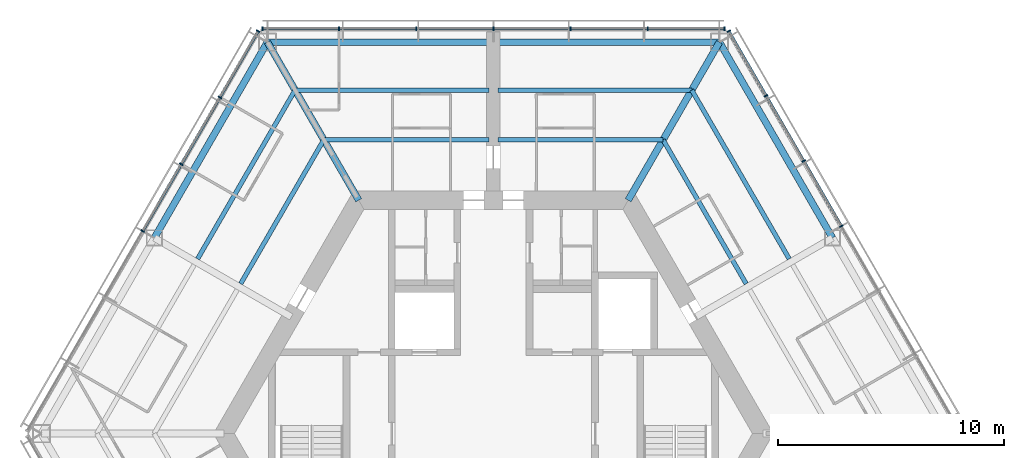
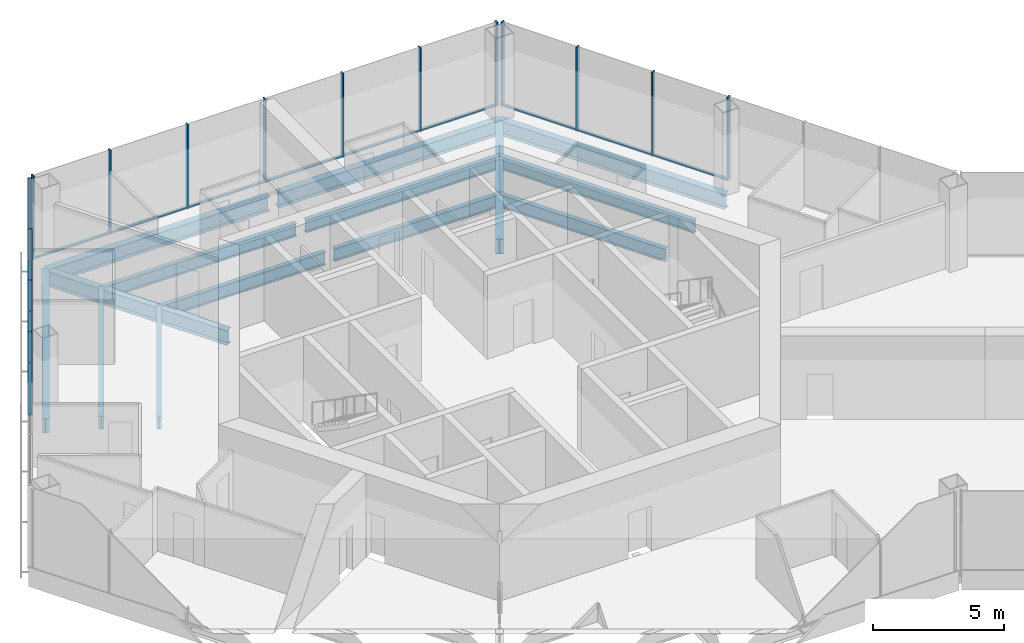
# One storey, part 5 of 13: 27 members, 14 beams, 3 elements without a shape of their own.
"""IFC4 building model written with IfcOpenShell, lengths in metres."""

from ifc_helpers import new_model, si_unit, direction, frame, origin, origin_2d, place, context, subcontext, project, spatial, rectangle, i_section, extrude, material, material_profile, profile_set, type_object, element, aggregate, save


model = new_model("IFC4")

# Units and contexts
model_context = context("Model", 3, precision=1e-05, world=origin(), true_north=direction((0.0, 1.0)))
body_context = subcontext(model_context, "Body", "Model", "MODEL_VIEW")
ifc_project = project(units=[si_unit("LENGTHUNIT", "METRE"), si_unit("AREAUNIT", "SQUARE_METRE"), si_unit("VOLUMEUNIT", "CUBIC_METRE"), si_unit("PLANEANGLEUNIT", "RADIAN"), si_unit("MASSUNIT", "GRAM", prefix="KILO")], contexts=[model_context])

# Site, building, storey
site_placement = place(None, origin())
site = spatial("IfcSite", under=ifc_project, at=site_placement, CompositionType="ELEMENT")
building_placement = place(site_placement, origin())
building = spatial("IfcBuilding", under=site, at=building_placement, Name="Kasaneha Research Tower", CompositionType="ELEMENT")
storey_placement = place(building_placement, frame((0.0, 0.0, 267.39990234375)))
storey = spatial("IfcBuildingStorey", under=building, at=storey_placement, Name="L67", CompositionType="ELEMENT", Elevation=267.39990234375)

# Beams
ifc_material_1 = material(Name="Steel SN490B", Category="steel")
ifc_material_profile_1 = material_profile(ifc_material_1, i_section(OverallWidth=0.199951171875, OverallDepth=0.60009765625, WebThickness=0.010986328125, FlangeThickness=0.01708984375, FilletRadius=0.012939453125, at=origin_2d()), Name="H-600x200x11x17")
ifc_profile_set_1 = profile_set([ifc_material_profile_1], Name="Steel SN490B")
beam_type_1 = type_object("IfcBeamType", Name="B1-3 secondary beam H-600x200x11x17", PredefinedType="JOIST", material=ifc_profile_set_1)
beam_1_placement = place(storey_placement, frame((7.505615234375, 13.0, -0.449951171875), z_axis=(0.499994443168, -0.866028611999, 0.0), x_axis=(0.866028611999, 0.499994443168, 0.0)))
element("IfcBeam", 1, at=beam_1_placement, inside=storey, type_object=beam_type_1, Name="Secondary beam RS030R1 L67", PredefinedType="JOIST", context=body_context, shape_type="SweptSolid", body=[
    extrude(i_section(OverallWidth=0.199951171875, OverallDepth=0.60009765625, WebThickness=0.010986328125, FlangeThickness=0.01708984375, FilletRadius=0.012939453125, at=origin_2d()), origin(), (0.0, 0.0, 1.0), 7.35546875),
])
beam_2_placement = place(storey_placement, frame((8.775634765625, 15.199951171875, -0.449951171875), z_axis=(0.500017275495, -0.866015429543, 0.0), x_axis=(0.866015429543, 0.500017275495, 0.0)))
element("IfcBeam", 2, at=beam_2_placement, inside=storey, type_object=beam_type_1, Name="Secondary beam RS030R2 L67", PredefinedType="JOIST", context=body_context, shape_type="SweptSolid", body=[
    extrude(i_section(OverallWidth=0.199951171875, OverallDepth=0.60009765625, WebThickness=0.010986328125, FlangeThickness=0.01708984375, FilletRadius=0.012939453125, at=origin_2d()), origin(), (0.0, 0.0, 1.0), 8.625732421875),
])
beam_3_placement = place(storey_placement, frame((7.505615234375, 13.0, -0.449951171875), z_axis=(-1.0, 0.0, 0.0), x_axis=(0.0, -1.0, 0.0)))
element("IfcBeam", 3, at=beam_3_placement, inside=storey, type_object=beam_type_1, Name="Secondary beam RS090L1 L67", PredefinedType="JOIST", context=body_context, shape_type="SweptSolid", body=[
    extrude(i_section(OverallWidth=0.199951171875, OverallDepth=0.60009765625, WebThickness=0.010986328125, FlangeThickness=0.01708984375, FilletRadius=0.012939453125, at=origin_2d()), origin(), (0.0, 0.0, 1.0), 7.3056640625),
])
beam_4_placement = place(storey_placement, frame((8.775634765625, 15.199951171875, -0.449951171875), z_axis=(-1.0, 0.0, 0.0), x_axis=(0.0, -1.0, 0.0)))
element("IfcBeam", 4, at=beam_4_placement, inside=storey, type_object=beam_type_1, Name="Secondary beam RS090L2 L67", PredefinedType="JOIST", context=body_context, shape_type="SweptSolid", body=[
    extrude(i_section(OverallWidth=0.199951171875, OverallDepth=0.60009765625, WebThickness=0.010986328125, FlangeThickness=0.01708984375, FilletRadius=0.012939453125, at=origin_2d()), origin(), (0.0, 0.0, 1.0), 8.57568359375),
])
beam_5_placement = place(storey_placement, frame((-7.505615234375, 13.0, -0.449951171875), z_axis=(1.0, 0.0, 0.0), x_axis=(0.0, 1.0, 0.0)))
element("IfcBeam", 5, at=beam_5_placement, inside=storey, type_object=beam_type_1, Name="Secondary beam RS090R1 L67", PredefinedType="JOIST", context=body_context, shape_type="SweptSolid", body=[
    extrude(i_section(OverallWidth=0.199951171875, OverallDepth=0.60009765625, WebThickness=0.010986328125, FlangeThickness=0.01708984375, FilletRadius=0.012939453125, at=origin_2d()), origin(), (0.0, 0.0, 1.0), 7.3056640625),
])
beam_6_placement = place(storey_placement, frame((-8.775634765625, 15.199951171875, -0.449951171875), z_axis=(1.0, 0.0, 0.0), x_axis=(0.0, 1.0, 0.0)))
element("IfcBeam", 6, at=beam_6_placement, inside=storey, type_object=beam_type_1, Name="Secondary beam RS090R2 L67", PredefinedType="JOIST", context=body_context, shape_type="SweptSolid", body=[
    extrude(i_section(OverallWidth=0.199951171875, OverallDepth=0.60009765625, WebThickness=0.010986328125, FlangeThickness=0.01708984375, FilletRadius=0.012939453125, at=origin_2d()), origin(), (0.0, 0.0, 1.0), 8.57568359375),
])
beam_7_placement = place(storey_placement, frame((-7.505615234375, 13.0, -0.449951171875), z_axis=(-0.499994443168, -0.866028611999, 0.0), x_axis=(0.866028611999, -0.499994443168, 0.0)))
element("IfcBeam", 7, at=beam_7_placement, inside=storey, type_object=beam_type_1, Name="Secondary beam RS150L1 L67", PredefinedType="JOIST", context=body_context, shape_type="SweptSolid", body=[
    extrude(i_section(OverallWidth=0.199951171875, OverallDepth=0.60009765625, WebThickness=0.010986328125, FlangeThickness=0.01708984375, FilletRadius=0.012939453125, at=origin_2d()), origin(), (0.0, 0.0, 1.0), 7.35546875),
])
beam_8_placement = place(storey_placement, frame((-8.775634765625, 15.199951171875, -0.449951171875), z_axis=(-0.500017275495, -0.866015429543, 0.0), x_axis=(0.866015429543, -0.500017275495, 0.0)))
element("IfcBeam", 8, at=beam_8_placement, inside=storey, type_object=beam_type_1, Name="Secondary beam RS150L2 L67", PredefinedType="JOIST", context=body_context, shape_type="SweptSolid", body=[
    extrude(i_section(OverallWidth=0.199951171875, OverallDepth=0.60009765625, WebThickness=0.010986328125, FlangeThickness=0.01708984375, FilletRadius=0.012939453125, at=origin_2d()), origin(), (0.0, 0.0, 1.0), 8.625732421875),
])

# Curtain wall, members
ifc_material_2 = material(Name="Glass and aluminium", Category="aluminium")
curtain_wall_type = type_object("IfcCurtainWallType", Name="Crown curtain wall", PredefinedType="USERDEFINED", material=ifc_material_2)
curtain_wall_1_placement = place(storey_placement, origin())
curtain_wall_1 = element("IfcCurtainWall", 9, at=curtain_wall_1_placement, inside=storey, type_object=curtain_wall_type, Name="CW-C L67 run 01a", ObjectType="UNITISED CURTAIN WALL", PredefinedType="USERDEFINED")
ifc_material_3 = material(Name="Aluminium 6063-T6", Category="aluminium")
ifc_material_profile_2 = material_profile(ifc_material_3, rectangle(XDim=0.06005859375, YDim=0.179931640625, at=origin_2d()), Name="CW-C mullion 60x180")
ifc_profile_set_2 = profile_set([ifc_material_profile_2], Name="Aluminium 6063-T6")
member_type_1 = type_object("IfcMemberType", Name="CW-C mullion", PredefinedType="MULLION", material=ifc_profile_set_2)
member_1_placement = place(storey_placement, frame((15.392822265625, 9.179931640625, 0.0), z_axis=(0.0, 0.0, 1.0), x_axis=(-0.499999979232, 0.866025415775, 0.0)))
member_1 = element("IfcMember", 10, at=member_1_placement, type_object=member_type_1, Name="CW-C mullion 4", PredefinedType="MULLION", context=body_context, shape_type="SweptSolid", body=[
    extrude(rectangle(XDim=0.06005859375, YDim=0.179931640625, at=origin_2d()), origin(), (0.0, 0.0, 1.0), 3.900146484375),
])
member_2_placement = place(storey_placement, frame((13.727294921875, 12.064453125, 0.0), z_axis=(0.0, 0.0, 1.0), x_axis=(-0.499999979232, 0.866025415775, 0.0)))
member_2 = element("IfcMember", 11, at=member_2_placement, type_object=member_type_1, Name="CW-C mullion 5", PredefinedType="MULLION", context=body_context, shape_type="SweptSolid", body=[
    extrude(rectangle(XDim=0.06005859375, YDim=0.179931640625, at=origin_2d()), origin(), (0.0, 0.0, 1.0), 3.900146484375),
])
member_3_placement = place(storey_placement, frame((12.061767578125, 14.94921875, 0.0), z_axis=(0.0, 0.0, 1.0), x_axis=(-0.499999979232, 0.866025415775, 0.0)))
member_3 = element("IfcMember", 12, at=member_3_placement, type_object=member_type_1, Name="CW-C mullion 6", PredefinedType="MULLION", context=body_context, shape_type="SweptSolid", body=[
    extrude(rectangle(XDim=0.06005859375, YDim=0.179931640625, at=origin_2d()), origin(), (0.0, 0.0, 1.0), 3.900146484375),
])
member_4_placement = place(storey_placement, frame((10.411376953125, 17.807861328125, 0.0), z_axis=(0.0, 0.0, 1.0), x_axis=(-0.499999979232, 0.866025415775, 0.0)))
member_4 = element("IfcMember", 13, at=member_4_placement, type_object=member_type_1, Name="CW-C mullion 7", PredefinedType="MULLION", context=body_context, shape_type="SweptSolid", body=[
    extrude(rectangle(XDim=0.06005859375, YDim=0.179931640625, at=origin_2d()), origin(), (0.0, 0.0, 1.0), 3.900146484375),
])

curtain_wall_2_placement = place(storey_placement, origin())
curtain_wall_2 = element("IfcCurtainWall", 14, at=curtain_wall_2_placement, inside=storey, type_object=curtain_wall_type, Name="CW-C L67 run 02a", ObjectType="UNITISED CURTAIN WALL", PredefinedType="USERDEFINED")
member_5_placement = place(storey_placement, frame((10.21630859375, 17.92041015625, 0.0), z_axis=(0.0, 0.0, 1.0), x_axis=(-1.0, 0.0, 0.0)))
member_5 = element("IfcMember", 15, at=member_5_placement, type_object=member_type_1, Name="CW-C mullion 1", PredefinedType="MULLION", context=body_context, shape_type="SweptSolid", body=[
    extrude(rectangle(XDim=0.06005859375, YDim=0.179931640625, at=origin_2d()), origin(), (0.0, 0.0, 1.0), 3.900146484375),
])
member_6_placement = place(storey_placement, frame((6.8310546875, 17.92041015625, 0.0), z_axis=(0.0, 0.0, 1.0), x_axis=(-1.0, 0.0, 0.0)))
member_6 = element("IfcMember", 16, at=member_6_placement, type_object=member_type_1, Name="CW-C mullion 2", PredefinedType="MULLION", context=body_context, shape_type="SweptSolid", body=[
    extrude(rectangle(XDim=0.06005859375, YDim=0.179931640625, at=origin_2d()), origin(), (0.0, 0.0, 1.0), 3.900146484375),
])
member_7_placement = place(storey_placement, frame((3.41552734375, 17.92041015625, 0.0), z_axis=(0.0, 0.0, 1.0), x_axis=(-1.0, 0.0, 0.0)))
member_7 = element("IfcMember", 17, at=member_7_placement, type_object=member_type_1, Name="CW-C mullion 3", PredefinedType="MULLION", context=body_context, shape_type="SweptSolid", body=[
    extrude(rectangle(XDim=0.06005859375, YDim=0.179931640625, at=origin_2d()), origin(), (0.0, 0.0, 1.0), 3.900146484375),
])
member_8_placement = place(storey_placement, frame((0.0, 17.92041015625, 0.0), z_axis=(0.0, 0.0, 1.0), x_axis=(-1.0, 0.0, 0.0)))
member_8 = element("IfcMember", 18, at=member_8_placement, type_object=member_type_1, Name="CW-C mullion 4", PredefinedType="MULLION", context=body_context, shape_type="SweptSolid", body=[
    extrude(rectangle(XDim=0.06005859375, YDim=0.179931640625, at=origin_2d()), origin(), (0.0, 0.0, 1.0), 3.900146484375),
])
member_9_placement = place(storey_placement, frame((-3.41552734375, 17.92041015625, 0.0), z_axis=(0.0, 0.0, 1.0), x_axis=(-1.0, 0.0, 0.0)))
member_9 = element("IfcMember", 19, at=member_9_placement, type_object=member_type_1, Name="CW-C mullion 5", PredefinedType="MULLION", context=body_context, shape_type="SweptSolid", body=[
    extrude(rectangle(XDim=0.06005859375, YDim=0.179931640625, at=origin_2d()), origin(), (0.0, 0.0, 1.0), 3.900146484375),
])
member_10_placement = place(storey_placement, frame((-6.8310546875, 17.92041015625, 0.0), z_axis=(0.0, 0.0, 1.0), x_axis=(-1.0, 0.0, 0.0)))
member_10 = element("IfcMember", 20, at=member_10_placement, type_object=member_type_1, Name="CW-C mullion 6", PredefinedType="MULLION", context=body_context, shape_type="SweptSolid", body=[
    extrude(rectangle(XDim=0.06005859375, YDim=0.179931640625, at=origin_2d()), origin(), (0.0, 0.0, 1.0), 3.900146484375),
])
member_11_placement = place(storey_placement, frame((-10.21630859375, 17.92041015625, 0.0), z_axis=(0.0, 0.0, 1.0), x_axis=(-1.0, 0.0, 0.0)))
member_11 = element("IfcMember", 21, at=member_11_placement, type_object=member_type_1, Name="CW-C mullion 7", PredefinedType="MULLION", context=body_context, shape_type="SweptSolid", body=[
    extrude(rectangle(XDim=0.06005859375, YDim=0.179931640625, at=origin_2d()), origin(), (0.0, 0.0, 1.0), 3.900146484375),
])

curtain_wall_3_placement = place(storey_placement, origin())
curtain_wall_3 = element("IfcCurtainWall", 22, at=curtain_wall_3_placement, inside=storey, type_object=curtain_wall_type, Name="CW-C L67 run 03a", ObjectType="UNITISED CURTAIN WALL", PredefinedType="USERDEFINED")
member_12_placement = place(storey_placement, frame((-10.411376953125, 17.807861328125, 0.0), z_axis=(0.0, 0.0, 1.0), x_axis=(-0.499999995722, -0.866025406254, 0.0)))
member_12 = element("IfcMember", 23, at=member_12_placement, type_object=member_type_1, Name="CW-C mullion 1", PredefinedType="MULLION", context=body_context, shape_type="SweptSolid", body=[
    extrude(rectangle(XDim=0.06005859375, YDim=0.179931640625, at=origin_2d()), origin(), (0.0, 0.0, 1.0), 3.900146484375),
])
member_13_placement = place(storey_placement, frame((-12.104248046875, 14.8759765625, 0.0), z_axis=(0.0, 0.0, 1.0), x_axis=(-0.499999995722, -0.866025406254, 0.0)))
member_13 = element("IfcMember", 24, at=member_13_placement, type_object=member_type_1, Name="CW-C mullion 2", PredefinedType="MULLION", context=body_context, shape_type="SweptSolid", body=[
    extrude(rectangle(XDim=0.06005859375, YDim=0.179931640625, at=origin_2d()), origin(), (0.0, 0.0, 1.0), 3.900146484375),
])
member_14_placement = place(storey_placement, frame((-13.811767578125, 11.918212890625, 0.0), z_axis=(0.0, 0.0, 1.0), x_axis=(-0.499999995722, -0.866025406254, 0.0)))
member_14 = element("IfcMember", 25, at=member_14_placement, type_object=member_type_1, Name="CW-C mullion 3", PredefinedType="MULLION", context=body_context, shape_type="SweptSolid", body=[
    extrude(rectangle(XDim=0.06005859375, YDim=0.179931640625, at=origin_2d()), origin(), (0.0, 0.0, 1.0), 3.900146484375),
])
member_15_placement = place(storey_placement, frame((-15.51953125, 8.960205078125, 0.0), z_axis=(0.0, 0.0, 1.0), x_axis=(-0.499999995722, -0.866025406254, 0.0)))
member_15 = element("IfcMember", 26, at=member_15_placement, type_object=member_type_1, Name="CW-C mullion 4", PredefinedType="MULLION", context=body_context, shape_type="SweptSolid", body=[
    extrude(rectangle(XDim=0.06005859375, YDim=0.179931640625, at=origin_2d()), origin(), (0.0, 0.0, 1.0), 3.900146484375),
])

# Member
ifc_material_4 = material(Name="Aluminium 6063-T6", Category="aluminium")
ifc_material_profile_3 = material_profile(ifc_material_4, rectangle(XDim=0.1298828125, YDim=0.06005859375, at=origin_2d()), Name="CW-C transom 130x60")
ifc_profile_set_3 = profile_set([ifc_material_profile_3], Name="Aluminium 6063-T6")
member_type_2 = type_object("IfcMemberType", Name="CW-C transom", PredefinedType="USERDEFINED", material=ifc_profile_set_3)
member_16_placement = place(storey_placement, frame((15.3779296875, 9.205810546875, 0.030029296875), z_axis=(-0.500000270186, 0.866025247793, 0.0), x_axis=(-0.866025247793, -0.500000270186, 0.0)))
member_16 = element("IfcMember", 27, at=member_16_placement, type_object=member_type_2, Name="CW-C transom 4", ObjectType="TRANSOM", PredefinedType="USERDEFINED", context=body_context, shape_type="SweptSolid", body=[
    extrude(rectangle(XDim=0.1298828125, YDim=0.06005859375, at=origin_2d()), origin(), (0.0, 0.0, 1.0), 3.27099609375),
])

member_17_placement = place(storey_placement, frame((13.71240234375, 12.090576171875, 0.030029296875), z_axis=(-0.500000270186, 0.866025247793, 0.0), x_axis=(-0.866025247793, -0.500000270186, 0.0)))
member_17 = element("IfcMember", 28, at=member_17_placement, type_object=member_type_2, Name="CW-C transom 5", ObjectType="TRANSOM", PredefinedType="USERDEFINED", context=body_context, shape_type="SweptSolid", body=[
    extrude(rectangle(XDim=0.1298828125, YDim=0.06005859375, at=origin_2d()), origin(), (0.0, 0.0, 1.0), 3.27099609375),
])

member_18_placement = place(storey_placement, frame((12.046875, 14.97509765625, 0.030029296875), z_axis=(-0.499955025697, 0.866051368154, 0.0), x_axis=(-0.866051368154, -0.499955025697, 0.0)))
member_18 = element("IfcMember", 29, at=member_18_placement, type_object=member_type_2, Name="CW-C transom 6", ObjectType="TRANSOM", PredefinedType="USERDEFINED", context=body_context, shape_type="SweptSolid", body=[
    extrude(rectangle(XDim=0.1298828125, YDim=0.06005859375, at=origin_2d()), origin(), (0.0, 0.0, 1.0), 3.240966796875),
])

aggregate(curtain_wall_1, [member_1, member_2, member_3, member_4, member_16, member_17, member_18])

member_19_placement = place(storey_placement, frame((10.1865234375, 17.92041015625, 0.030029296875), z_axis=(-1.0, 0.0, 0.0), x_axis=(0.0, -1.0, 0.0)))
member_19 = element("IfcMember", 30, at=member_19_placement, type_object=member_type_2, Name="CW-C transom 1", ObjectType="TRANSOM", PredefinedType="USERDEFINED", context=body_context, shape_type="SweptSolid", body=[
    extrude(rectangle(XDim=0.1298828125, YDim=0.06005859375, at=origin_2d()), origin(), (0.0, 0.0, 1.0), 3.32568359375),
])

member_20_placement = place(storey_placement, frame((6.801025390625, 17.92041015625, 0.030029296875), z_axis=(-1.0, 0.0, 0.0), x_axis=(0.0, -1.0, 0.0)))
member_20 = element("IfcMember", 31, at=member_20_placement, type_object=member_type_2, Name="CW-C transom 2", ObjectType="TRANSOM", PredefinedType="USERDEFINED", context=body_context, shape_type="SweptSolid", body=[
    extrude(rectangle(XDim=0.1298828125, YDim=0.06005859375, at=origin_2d()), origin(), (0.0, 0.0, 1.0), 3.35546875),
])

member_21_placement = place(storey_placement, frame((3.385498046875, 17.92041015625, 0.030029296875), z_axis=(-1.0, 0.0, 0.0), x_axis=(0.0, -1.0, 0.0)))
member_21 = element("IfcMember", 32, at=member_21_placement, type_object=member_type_2, Name="CW-C transom 3", ObjectType="TRANSOM", PredefinedType="USERDEFINED", context=body_context, shape_type="SweptSolid", body=[
    extrude(rectangle(XDim=0.1298828125, YDim=0.06005859375, at=origin_2d()), origin(), (0.0, 0.0, 1.0), 3.35546875),
])

member_22_placement = place(storey_placement, frame((-0.030029296875, 17.92041015625, 0.030029296875), z_axis=(-1.0, 0.0, 0.0), x_axis=(0.0, -1.0, 0.0)))
member_22 = element("IfcMember", 33, at=member_22_placement, type_object=member_type_2, Name="CW-C transom 4", ObjectType="TRANSOM", PredefinedType="USERDEFINED", context=body_context, shape_type="SweptSolid", body=[
    extrude(rectangle(XDim=0.1298828125, YDim=0.06005859375, at=origin_2d()), origin(), (0.0, 0.0, 1.0), 3.35546875),
])

member_23_placement = place(storey_placement, frame((-3.445556640625, 17.92041015625, 0.030029296875), z_axis=(-1.0, 0.0, 0.0), x_axis=(0.0, -1.0, 0.0)))
member_23 = element("IfcMember", 34, at=member_23_placement, type_object=member_type_2, Name="CW-C transom 5", ObjectType="TRANSOM", PredefinedType="USERDEFINED", context=body_context, shape_type="SweptSolid", body=[
    extrude(rectangle(XDim=0.1298828125, YDim=0.06005859375, at=origin_2d()), origin(), (0.0, 0.0, 1.0), 3.35546875),
])

member_24_placement = place(storey_placement, frame((-6.86083984375, 17.92041015625, 0.030029296875), z_axis=(-1.0, 0.0, 0.0), x_axis=(0.0, -1.0, 0.0)))
member_24 = element("IfcMember", 35, at=member_24_placement, type_object=member_type_2, Name="CW-C transom 6", ObjectType="TRANSOM", PredefinedType="USERDEFINED", context=body_context, shape_type="SweptSolid", body=[
    extrude(rectangle(XDim=0.1298828125, YDim=0.06005859375, at=origin_2d()), origin(), (0.0, 0.0, 1.0), 3.32568359375),
])

aggregate(curtain_wall_2, [member_5, member_6, member_7, member_8, member_9, member_10, member_11, member_19, member_20, member_21, member_22, member_23, member_24])

member_25_placement = place(storey_placement, frame((-10.426513671875, 17.781982421875, 0.030029296875), z_axis=(-0.49997666526, -0.866038875684, 0.0), x_axis=(0.866038875684, -0.49997666526, 0.0)))
member_25 = element("IfcMember", 36, at=member_25_placement, type_object=member_type_2, Name="CW-C transom 1", ObjectType="TRANSOM", PredefinedType="USERDEFINED", context=body_context, shape_type="SweptSolid", body=[
    extrude(rectangle(XDim=0.1298828125, YDim=0.06005859375, at=origin_2d()), origin(), (0.0, 0.0, 1.0), 3.325439453125),
])

member_26_placement = place(storey_placement, frame((-12.119140625, 14.85009765625, 0.030029296875), z_axis=(-0.499989072476, -0.866031712701, 0.0), x_axis=(0.866031712701, -0.499989072476, 0.0)))
member_26 = element("IfcMember", 37, at=member_26_placement, type_object=member_type_2, Name="CW-C transom 2", ObjectType="TRANSOM", PredefinedType="USERDEFINED", context=body_context, shape_type="SweptSolid", body=[
    extrude(rectangle(XDim=0.1298828125, YDim=0.06005859375, at=origin_2d()), origin(), (0.0, 0.0, 1.0), 3.35546875),
])

member_27_placement = place(storey_placement, frame((-13.826904296875, 11.89208984375, 0.030029296875), z_axis=(-0.500020578564, -0.866013522419, 0.0), x_axis=(0.866013522419, -0.500020578564, 0.0)))
member_27 = element("IfcMember", 38, at=member_27_placement, type_object=member_type_2, Name="CW-C transom 3", ObjectType="TRANSOM", PredefinedType="USERDEFINED", context=body_context, shape_type="SweptSolid", body=[
    extrude(rectangle(XDim=0.1298828125, YDim=0.06005859375, at=origin_2d()), origin(), (0.0, 0.0, 1.0), 3.355224609375),
])

aggregate(curtain_wall_3, [member_12, member_13, member_14, member_15, member_25, member_26, member_27])

# Beams
ifc_material_5 = material(Name="Steel SN490B", Category="steel")
ifc_material_profile_4 = material_profile(ifc_material_5, i_section(OverallWidth=0.300048828125, OverallDepth=0.699951171875, WebThickness=0.012939453125, FlangeThickness=0.02392578125, FilletRadius=0.01806640625, at=origin_2d()), Name="H-700x300x13x24")
ifc_profile_set_4 = profile_set([ifc_material_profile_4], Name="Steel SN490B")
beam_type_2 = type_object("IfcBeamType", Name="G1-3 radial girder H-700x300x13x24", PredefinedType="BEAM", material=ifc_profile_set_4)
for number, where, z_axis, x_axis, name in (
    (39, (5.961181640625, 10.324951171875, -0.5), (0.49999105496, 0.866030568144, 0.0), (-0.866030568144, 0.49999105496, 0.0), "Radial girder RV060 L67"),
    (40, (-5.961181640625, 10.324951171875, -0.5), (-0.49999105496, 0.866030568144, 0.0), (-0.866030568144, -0.49999105496, 0.0), "Radial girder RV120 L67"),
):
    element("IfcBeam", number, at=place(storey_placement, frame(where, z_axis=z_axis, x_axis=x_axis)), inside=storey, type_object=beam_type_2, Name=name, PredefinedType="BEAM", context=body_context, shape_type="SweptSolid", body=[
        extrude(i_section(OverallWidth=0.300048828125, OverallDepth=0.699951171875, WebThickness=0.012939453125, FlangeThickness=0.02392578125, FilletRadius=0.01806640625, at=origin_2d()), origin(), (0.0, 0.0, 1.0), 8.077880859375),
    ])
ifc_material_6 = material(Name="Steel SN490B", Category="steel")
ifc_material_profile_5 = material_profile(ifc_material_6, i_section(OverallWidth=0.300048828125, OverallDepth=0.69189453125, WebThickness=0.012939453125, FlangeThickness=0.02001953125, FilletRadius=0.01806640625, at=origin_2d()), Name="H-692x300x13x20")
ifc_profile_set_5 = profile_set([ifc_material_profile_5], Name="Steel SN490B")
beam_type_3 = type_object("IfcBeamType", Name="G3-3 plate edge girder H-692x300x13x20", PredefinedType="BEAM", material=ifc_profile_set_5)
for number, where, z_axis, x_axis, name in (
    (41, (10.0, 17.320556640625, -0.495849609375), (-1.0, 0.0, 0.0), (0.0, -1.0, 0.0), "Plate edge girder PEAP L67"),
    (42, (-10.0, 17.320556640625, -0.495849609375), (1.0, 0.0, 0.0), (0.0, 1.0, 0.0), "Plate edge girder PEAN L67"),
):
    element("IfcBeam", number, at=place(storey_placement, frame(where, z_axis=z_axis, x_axis=x_axis)), inside=storey, type_object=beam_type_3, Name=name, PredefinedType="BEAM", context=body_context, shape_type="SweptSolid", body=[
        extrude(i_section(OverallWidth=0.300048828125, OverallDepth=0.69189453125, WebThickness=0.012939453125, FlangeThickness=0.02001953125, FilletRadius=0.01806640625, at=origin_2d()), origin(), (0.0, 0.0, 1.0), 9.800048828125),
    ])
ifc_material_7 = material(Name="Steel SN490B", Category="steel")
ifc_material_profile_6 = material_profile(ifc_material_7, i_section(OverallWidth=0.300048828125, OverallDepth=0.69189453125, WebThickness=0.012939453125, FlangeThickness=0.02001953125, FilletRadius=0.01806640625, at=origin_2d()), Name="H-692x300x13x20")
ifc_profile_set_6 = profile_set([ifc_material_profile_6], Name="Steel SN490B")
beam_type_4 = type_object("IfcBeamType", Name="SB1-3 spandrel beam H-692x300x13x20", PredefinedType="SPANDREL", material=ifc_profile_set_6)
for number, where, z_axis, x_axis, name in (
    (43, (10.0, 17.320556640625, -0.495849609375), (0.499993662806, -0.866029062534, 0.0), (0.866029062534, 0.499993662806, 0.0), "Spandrel beam SR030R L67"),
    (44, (-10.0, 17.320556640625, -0.495849609375), (-0.499993662806, -0.866029062534, 0.0), (0.866029062534, -0.499993662806, 0.0), "Spandrel beam SR150L L67"),
):
    element("IfcBeam", number, at=place(storey_placement, frame(where, z_axis=z_axis, x_axis=x_axis)), inside=storey, type_object=beam_type_4, Name=name, PredefinedType="SPANDREL", context=body_context, shape_type="SweptSolid", body=[
        extrude(i_section(OverallWidth=0.300048828125, OverallDepth=0.69189453125, WebThickness=0.012939453125, FlangeThickness=0.02001953125, FilletRadius=0.01806640625, at=origin_2d()), origin(), (0.0, 0.0, 1.0), 10.000244140625),
    ])

save(model, "model.ifc")
